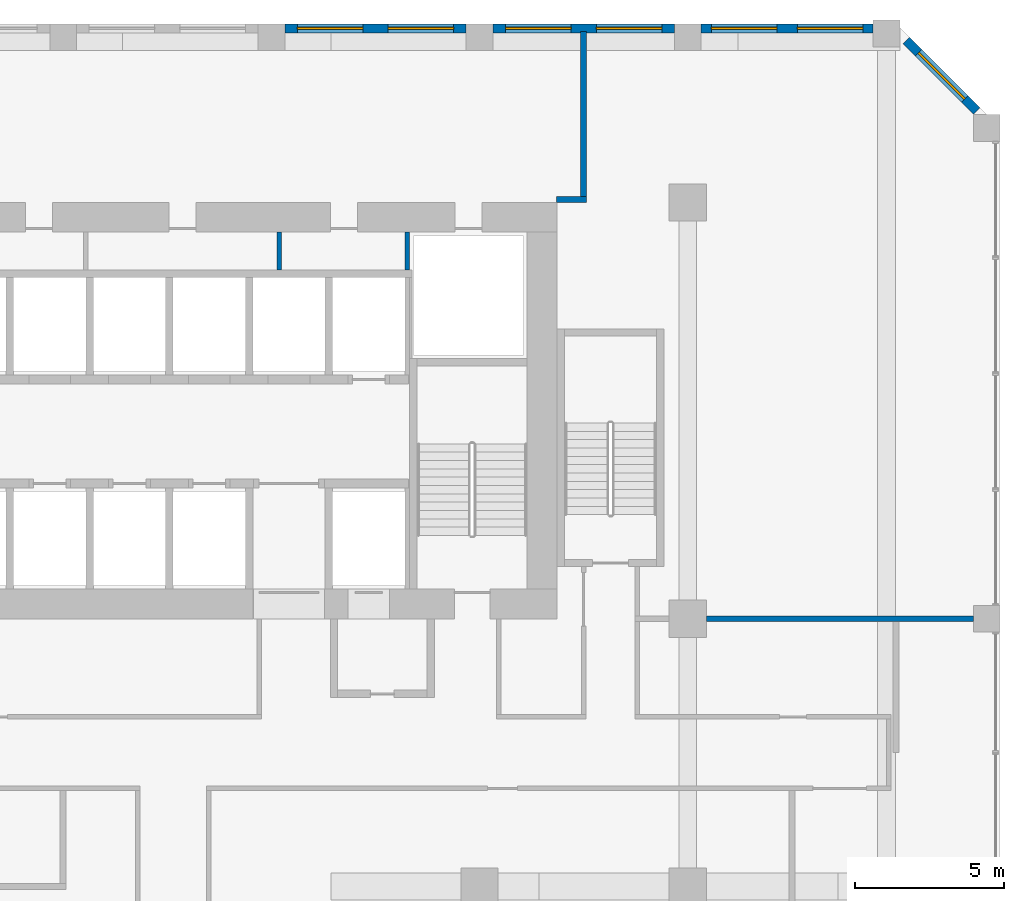
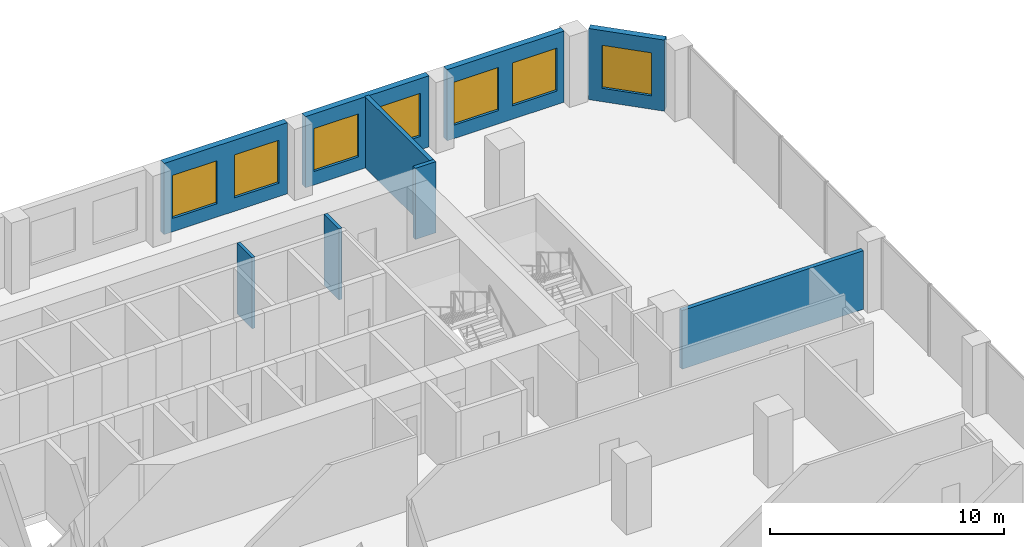
# One storey, part 17 of 20: 9 walls, 7 windows, 7 openings.
"""IFC4 building model written with IfcOpenShell, lengths in metres."""

from ifc_helpers import new_model, si_unit, direction, frame, frame_2d, origin, place, context, subcontext, project, spatial, rectangle, extrude, source, transform, mapped, material, layer, layer_set, type_object, element, fill, save


model = new_model("IFC4")

# Units and contexts
model_context = context("Model", 3, precision=1e-05, world=origin(), true_north=direction((0.0, 1.0)))
body_context = subcontext(model_context, "Body", "Model", "MODEL_VIEW")
ifc_project = project(units=[si_unit("LENGTHUNIT", "METRE"), si_unit("AREAUNIT", "SQUARE_METRE"), si_unit("VOLUMEUNIT", "CUBIC_METRE"), si_unit("PLANEANGLEUNIT", "RADIAN"), si_unit("MASSUNIT", "GRAM", prefix="KILO")], contexts=[model_context])

# Site, building, storey
site_placement = place(None, origin())
site = spatial("IfcSite", under=ifc_project, at=site_placement, CompositionType="ELEMENT")
building_placement = place(site_placement, origin())
building = spatial("IfcBuilding", under=site, at=building_placement, Name="Kilnfold Tower and Market Hall", CompositionType="ELEMENT")
storey_placement = place(building_placement, frame((0.0, 0.0, 63.199951171875)))
storey = spatial("IfcBuildingStorey", under=building, at=storey_placement, Name="L14", CompositionType="ELEMENT", Elevation=63.199951171875)

# Walls
ifc_material_1 = material(Name="Gypsum board on steel studs", Category="steel")
ifc_layer_1 = layer(ifc_material_1, 0.199951171875)
ifc_layer_set_1 = layer_set([ifc_layer_1], Name="Gypsum board on steel studs")
wall_type_1 = type_object("IfcWallType", Name="WALL PARTY 200", PredefinedType="PARTITIONING", material=ifc_layer_set_1)
wall_1_placement = place(storey_placement, frame((19.0, 22.199951171875, 0.0), z_axis=(0.0, 0.0, 1.0), x_axis=(0.0, 1.0, 0.0)))
element("IfcWall", 1, at=wall_1_placement, inside=storey, type_object=wall_type_1, Name="Partition LY12.42", PredefinedType="PARTITIONING", context=body_context, shape_type="SweptSolid", body=[
    extrude(rectangle(XDim=5.550048828125, YDim=0.199951171875, at=frame_2d((2.77490234375, 0.0))), origin(), (0.0, 0.0, 1.0), 3.719970703125),
])
wall_2_placement = place(storey_placement, frame((18.090087890625, 22.10009765625, 0.0), z_axis=(0.0, 0.0, 1.0), x_axis=(1.0, 0.0, 0.0)))
element("IfcWall", 2, at=wall_2_placement, inside=storey, type_object=wall_type_1, Name="Partition LY12.43", PredefinedType="PARTITIONING", context=body_context, shape_type="SweptSolid", body=[
    extrude(rectangle(XDim=1.010009765625, YDim=0.199951171875, at=frame_2d((0.5048828125, 0.0))), origin(), (0.0, 0.0, 1.0), 3.719970703125),
])
wall_3_placement = place(storey_placement, frame((23.125, 8.0, 0.0), z_axis=(0.0, 0.0, 1.0), x_axis=(1.0, 0.0, 0.0)))
element("IfcWall", 3, at=wall_3_placement, inside=storey, type_object=wall_type_1, Name="Partition LY12.55", PredefinedType="PARTITIONING", context=body_context, shape_type="SweptSolid", body=[
    extrude(rectangle(XDim=8.97509765625, YDim=0.199951171875, at=frame_2d((4.487548828125, 0.0))), origin(), (0.0, 0.0, 1.0), 3.070068359375),
])

# Wall, opening, window
ifc_material_2 = material(Name="Precast concrete C50/60", Category="concrete")
ifc_layer_2 = layer(ifc_material_2, 0.300048828125)
ifc_layer_set_2 = layer_set([ifc_layer_2], Name="Precast concrete C50/60")
wall_type_2 = type_object("IfcWallType", Name="PRECAST WALL 300", PredefinedType="SOLIDWALL", material=ifc_layer_set_2)
shared_shape_1 = source(origin(), body_context, "Body", "SweptSolid", [
    extrude(rectangle(XDim=3.35888671875, YDim=0.300048828125, at=frame_2d((1.679443359375, 0.0))), origin(), (0.0, 0.0, 1.0), 3.719970703125),
])
wall_4_placement = place(storey_placement, frame((32.218994140625, 25.06884765625, 0.0), z_axis=(0.0, 0.0, 1.0), x_axis=(-0.707070438228, 0.707143122278, 0.0)))
wall_4 = element("IfcWall", 4, at=wall_4_placement, inside=storey, type_object=wall_type_2, Name="External wall L14 NE", PredefinedType="SOLIDWALL", context=body_context, shape_type="MappedRepresentation", body=[
    mapped(shared_shape_1, transform((0.0, 0.0, 0.0))),
])
opening_1_placement = place(wall_4_placement, frame((0.579345703125, 0.0, 0.699951171875)))
opening_1 = element("IfcOpeningElement", 5, at=opening_1_placement, cuts=wall_4, Name="Opening W1", PredefinedType="OPENING", context=body_context, shape_type="SweptSolid", body=[
    extrude(rectangle(XDim=2.199951171875, YDim=2.25, at=frame_2d((1.10009765625, 1.125))), frame((0.0, 0.16015625, 0.0), z_axis=(0.0, -1.0, 0.0), x_axis=(1.0, 0.0, 0.0)), (0.0, 0.0, 1.0), 0.320068359375),
])
ifc_material_3 = material(Name="Aluminium frame and double glazing", Category="aluminium")
window_type = type_object("IfcWindowType", Name="WINDOW W1 2200X2250", PartitioningType="SINGLE_PANEL", PredefinedType="WINDOW", material=ifc_material_3)
window_1_placement = place(opening_1_placement, origin())
window_1 = element("IfcWindow", 6, at=window_1_placement, inside=storey, type_object=window_type, Name="Window W1 L14 NE-1", OverallHeight=2.25, OverallWidth=2.199951171875, PartitioningType="SINGLE_PANEL", PredefinedType="WINDOW", context=body_context, shape_type="SweptSolid", body=[
    extrude(rectangle(XDim=2.199951171875, YDim=2.25, at=frame_2d((1.10009765625, 1.125))), frame((0.0, 0.030029296875, 0.0), z_axis=(0.0, -1.0, 0.0), x_axis=(1.0, 0.0, 0.0)), (0.0, 0.0, 1.0), 0.06005859375),
])
fill(opening_1, window_1)

# Wall, openings, windows
shared_shape_2 = source(origin(), body_context, "Body", "SweptSolid", [
    extrude(rectangle(XDim=5.78173828125, YDim=0.300048828125, at=frame_2d((2.890869140625, 0.0))), origin(), (0.0, 0.0, 1.0), 3.719970703125),
])
wall_5_placement = place(storey_placement, frame((28.731689453125, 27.85009765625, 0.0), z_axis=(0.0, 0.0, 1.0), x_axis=(-1.0, 0.0, 0.0)))
wall_5 = element("IfcWall", 7, at=wall_5_placement, inside=storey, type_object=wall_type_2, Name="External wall L14 N", PredefinedType="SOLIDWALL", context=body_context, shape_type="MappedRepresentation", body=[
    mapped(shared_shape_2, transform((0.0, 0.0, 0.0))),
])
opening_2_placement = place(wall_5_placement, frame((0.345458984375, 0.0, 0.699951171875)))
opening_2 = element("IfcOpeningElement", 8, at=opening_2_placement, cuts=wall_5, Name="Opening W1", PredefinedType="OPENING", context=body_context, shape_type="SweptSolid", body=[
    extrude(rectangle(XDim=2.199951171875, YDim=2.25, at=frame_2d((1.10009765625, 1.125))), frame((0.0, 0.16015625, 0.0), z_axis=(0.0, -1.0, 0.0), x_axis=(1.0, 0.0, 0.0)), (0.0, 0.0, 1.0), 0.320068359375),
])
opening_3_placement = place(wall_5_placement, frame((3.236328125, 0.0, 0.699951171875)))
opening_3 = element("IfcOpeningElement", 9, at=opening_3_placement, cuts=wall_5, Name="Opening W1", PredefinedType="OPENING", context=body_context, shape_type="SweptSolid", body=[
    extrude(rectangle(XDim=2.199951171875, YDim=2.25, at=frame_2d((1.10009765625, 1.125))), frame((0.0, 0.16015625, 0.0), z_axis=(0.0, -1.0, 0.0), x_axis=(1.0, 0.0, 0.0)), (0.0, 0.0, 1.0), 0.320068359375),
])
window_2_placement = place(opening_2_placement, origin())
window_2 = element("IfcWindow", 10, at=window_2_placement, inside=storey, type_object=window_type, Name="Window W1 L14 N-1", OverallHeight=2.25, OverallWidth=2.199951171875, PartitioningType="SINGLE_PANEL", PredefinedType="WINDOW", context=body_context, shape_type="SweptSolid", body=[
    extrude(rectangle(XDim=2.199951171875, YDim=2.25, at=frame_2d((1.10009765625, 1.125))), frame((0.0, 0.030029296875, 0.0), z_axis=(0.0, -1.0, 0.0), x_axis=(1.0, 0.0, 0.0)), (0.0, 0.0, 1.0), 0.06005859375),
])
fill(opening_2, window_2)
window_3_placement = place(opening_3_placement, origin())
window_3 = element("IfcWindow", 11, at=window_3_placement, inside=storey, type_object=window_type, Name="Window W1 L14 N-2", OverallHeight=2.25, OverallWidth=2.199951171875, PartitioningType="SINGLE_PANEL", PredefinedType="WINDOW", context=body_context, shape_type="SweptSolid", body=[
    extrude(rectangle(XDim=2.199951171875, YDim=2.25, at=frame_2d((1.10009765625, 1.125))), frame((0.0, 0.030029296875, 0.0), z_axis=(0.0, -1.0, 0.0), x_axis=(1.0, 0.0, 0.0)), (0.0, 0.0, 1.0), 0.06005859375),
])
fill(opening_3, window_3)

shared_shape_3 = source(origin(), body_context, "Body", "SweptSolid", [
    extrude(rectangle(XDim=6.10009765625, YDim=0.300048828125, at=frame_2d((3.050048828125, 0.0))), origin(), (0.0, 0.0, 1.0), 3.719970703125),
])
wall_6_placement = place(storey_placement, frame((22.050048828125, 27.85009765625, 0.0), z_axis=(0.0, 0.0, 1.0), x_axis=(-1.0, 0.0, 0.0)))
wall_6 = element("IfcWall", 12, at=wall_6_placement, inside=storey, type_object=wall_type_2, Name="External wall L14 N", PredefinedType="SOLIDWALL", context=body_context, shape_type="MappedRepresentation", body=[
    mapped(shared_shape_3, transform((0.0, 0.0, 0.0))),
])
opening_4_placement = place(wall_6_placement, frame((0.425048828125, 0.0, 0.699951171875)))
opening_4 = element("IfcOpeningElement", 13, at=opening_4_placement, cuts=wall_6, Name="Opening W1", PredefinedType="OPENING", context=body_context, shape_type="SweptSolid", body=[
    extrude(rectangle(XDim=2.199951171875, YDim=2.25, at=frame_2d((1.10009765625, 1.125))), frame((0.0, 0.16015625, 0.0), z_axis=(0.0, -1.0, 0.0), x_axis=(1.0, 0.0, 0.0)), (0.0, 0.0, 1.0), 0.320068359375),
])
opening_5_placement = place(wall_6_placement, frame((3.47509765625, 0.0, 0.699951171875)))
opening_5 = element("IfcOpeningElement", 14, at=opening_5_placement, cuts=wall_6, Name="Opening W1", PredefinedType="OPENING", context=body_context, shape_type="SweptSolid", body=[
    extrude(rectangle(XDim=2.199951171875, YDim=2.25, at=frame_2d((1.10009765625, 1.125))), frame((0.0, 0.16015625, 0.0), z_axis=(0.0, -1.0, 0.0), x_axis=(1.0, 0.0, 0.0)), (0.0, 0.0, 1.0), 0.320068359375),
])
window_4_placement = place(opening_4_placement, origin())
window_4 = element("IfcWindow", 15, at=window_4_placement, inside=storey, type_object=window_type, Name="Window W1 L14 N-1", OverallHeight=2.25, OverallWidth=2.199951171875, PartitioningType="SINGLE_PANEL", PredefinedType="WINDOW", context=body_context, shape_type="SweptSolid", body=[
    extrude(rectangle(XDim=2.199951171875, YDim=2.25, at=frame_2d((1.10009765625, 1.125))), frame((0.0, 0.030029296875, 0.0), z_axis=(0.0, -1.0, 0.0), x_axis=(1.0, 0.0, 0.0)), (0.0, 0.0, 1.0), 0.06005859375),
])
fill(opening_4, window_4)
window_5_placement = place(opening_5_placement, origin())
window_5 = element("IfcWindow", 16, at=window_5_placement, inside=storey, type_object=window_type, Name="Window W1 L14 N-2", OverallHeight=2.25, OverallWidth=2.199951171875, PartitioningType="SINGLE_PANEL", PredefinedType="WINDOW", context=body_context, shape_type="SweptSolid", body=[
    extrude(rectangle(XDim=2.199951171875, YDim=2.25, at=frame_2d((1.10009765625, 1.125))), frame((0.0, 0.030029296875, 0.0), z_axis=(0.0, -1.0, 0.0), x_axis=(1.0, 0.0, 0.0)), (0.0, 0.0, 1.0), 0.06005859375),
])
fill(opening_5, window_5)

wall_7_placement = place(storey_placement, frame((15.050048828125, 27.85009765625, 0.0), z_axis=(0.0, 0.0, 1.0), x_axis=(-1.0, 0.0, 0.0)))
wall_7 = element("IfcWall", 17, at=wall_7_placement, inside=storey, type_object=wall_type_2, Name="External wall L14 N", PredefinedType="SOLIDWALL", context=body_context, shape_type="MappedRepresentation", body=[
    mapped(shared_shape_3, transform((0.0, 0.0, 0.0))),
])
opening_6_placement = place(wall_7_placement, frame((0.425048828125, 0.0, 0.699951171875)))
opening_6 = element("IfcOpeningElement", 18, at=opening_6_placement, cuts=wall_7, Name="Opening W1", PredefinedType="OPENING", context=body_context, shape_type="SweptSolid", body=[
    extrude(rectangle(XDim=2.199951171875, YDim=2.25, at=frame_2d((1.10009765625, 1.125))), frame((0.0, 0.16015625, 0.0), z_axis=(0.0, -1.0, 0.0), x_axis=(1.0, 0.0, 0.0)), (0.0, 0.0, 1.0), 0.320068359375),
])
opening_7_placement = place(wall_7_placement, frame((3.47509765625, 0.0, 0.699951171875)))
opening_7 = element("IfcOpeningElement", 19, at=opening_7_placement, cuts=wall_7, Name="Opening W1", PredefinedType="OPENING", context=body_context, shape_type="SweptSolid", body=[
    extrude(rectangle(XDim=2.199951171875, YDim=2.25, at=frame_2d((1.10009765625, 1.125))), frame((0.0, 0.16015625, 0.0), z_axis=(0.0, -1.0, 0.0), x_axis=(1.0, 0.0, 0.0)), (0.0, 0.0, 1.0), 0.320068359375),
])
window_6_placement = place(opening_6_placement, origin())
window_6 = element("IfcWindow", 20, at=window_6_placement, inside=storey, type_object=window_type, Name="Window W1 L14 N-1", OverallHeight=2.25, OverallWidth=2.199951171875, PartitioningType="SINGLE_PANEL", PredefinedType="WINDOW", context=body_context, shape_type="SweptSolid", body=[
    extrude(rectangle(XDim=2.199951171875, YDim=2.25, at=frame_2d((1.10009765625, 1.125))), frame((0.0, 0.030029296875, 0.0), z_axis=(0.0, -1.0, 0.0), x_axis=(1.0, 0.0, 0.0)), (0.0, 0.0, 1.0), 0.06005859375),
])
fill(opening_6, window_6)
window_7_placement = place(opening_7_placement, origin())
window_7 = element("IfcWindow", 21, at=window_7_placement, inside=storey, type_object=window_type, Name="Window W1 L14 N-2", OverallHeight=2.25, OverallWidth=2.199951171875, PartitioningType="SINGLE_PANEL", PredefinedType="WINDOW", context=body_context, shape_type="SweptSolid", body=[
    extrude(rectangle(XDim=2.199951171875, YDim=2.25, at=frame_2d((1.10009765625, 1.125))), frame((0.0, 0.030029296875, 0.0), z_axis=(0.0, -1.0, 0.0), x_axis=(1.0, 0.0, 0.0)), (0.0, 0.0, 1.0), 0.06005859375),
])
fill(opening_7, window_7)

# Walls
ifc_material_4 = material(Name="Gypsum shaft wall system")
ifc_layer_3 = layer(ifc_material_4, 0.1650390625)
ifc_layer_set_3 = layer_set([ifc_layer_3], Name="Gypsum shaft wall system")
wall_type_3 = type_object("IfcWallType", Name="SHAFT WALL 165", PredefinedType="PARTITIONING", material=ifc_layer_set_3)
shared_shape_4 = source(origin(), body_context, "Body", "SweptSolid", [
    extrude(rectangle(XDim=1.27490234375, YDim=0.1650390625, at=frame_2d((0.637451171875, 0.0))), origin(), (0.0, 0.0, 1.0), 3.719970703125),
])
wall_8_placement = place(storey_placement, frame((13.0673828125, 19.72509765625, 0.0), z_axis=(0.0, 0.0, 1.0), x_axis=(0.0, 1.0, 0.0)))
element("IfcWall", 22, at=wall_8_placement, inside=storey, type_object=wall_type_3, Name="Lift shaft wall", PredefinedType="PARTITIONING", context=body_context, shape_type="MappedRepresentation", body=[
    mapped(shared_shape_4, transform((0.0, 0.0, 0.0))),
])
ifc_material_5 = material(Name="Gypsum shaft wall system")
ifc_layer_4 = layer(ifc_material_5, 0.14990234375)
ifc_layer_set_4 = layer_set([ifc_layer_4], Name="Gypsum shaft wall system")
wall_type_4 = type_object("IfcWallType", Name="ROOM WALL 150", PredefinedType="PARTITIONING", material=ifc_layer_set_4)
shared_shape_5 = source(origin(), body_context, "Body", "SweptSolid", [
    extrude(rectangle(XDim=1.27490234375, YDim=0.14990234375, at=frame_2d((0.637451171875, 0.0))), origin(), (0.0, 0.0, 1.0), 3.719970703125),
])
wall_9_placement = place(storey_placement, frame((8.768310546875, 19.72509765625, 0.0), z_axis=(0.0, 0.0, 1.0), x_axis=(0.0, 1.0, 0.0)))
element("IfcWall", 23, at=wall_9_placement, inside=storey, type_object=wall_type_4, Name="Core room wall", PredefinedType="PARTITIONING", context=body_context, shape_type="MappedRepresentation", body=[
    mapped(shared_shape_5, transform((0.0, 0.0, 0.0))),
])

save(model, "model.ifc")
